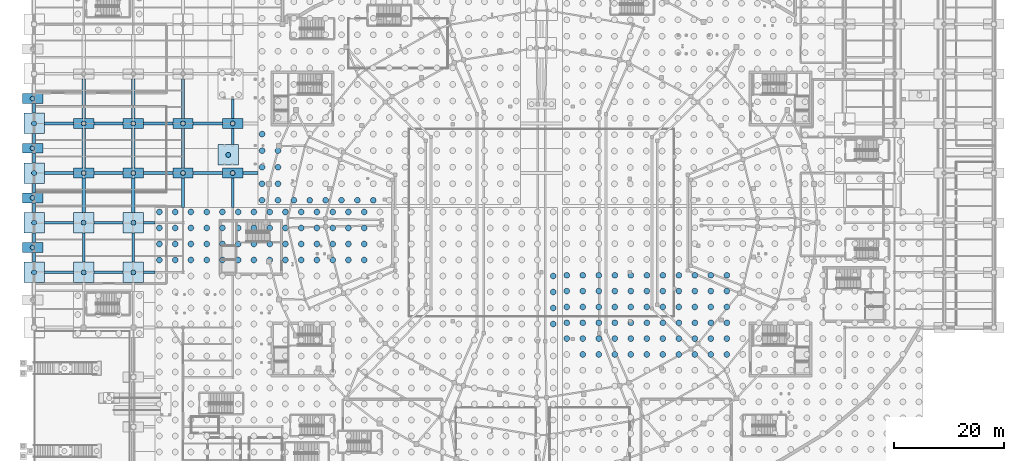
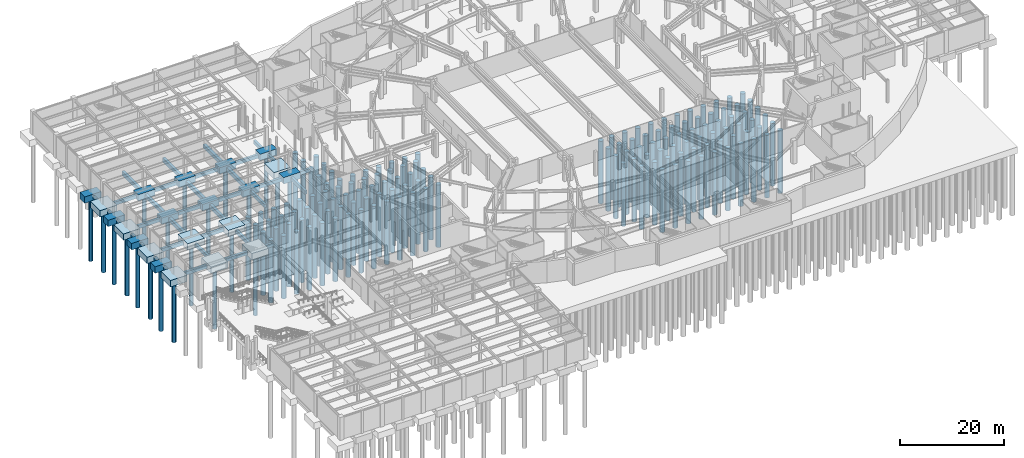
# One storey, part 4 of 56: 161 piles, 57 footings.
"""IFC4 building model written with IfcOpenShell, lengths in metres."""

from ifc_helpers import new_model, si_unit, direction, frame, origin, origin_2d, place, context, subcontext, project, spatial, polyline, rectangle, circle, outline, extrude, material, material_profile, profile_set, type_object, element, save


model = new_model("IFC4")

# Units and contexts
model_context = context("Model", 3, precision=1e-05, world=origin(), true_north=direction((0.0, 1.0)))
body_context = subcontext(model_context, "Body", "Model", "MODEL_VIEW")
ifc_project = project(units=[si_unit("LENGTHUNIT", "METRE"), si_unit("AREAUNIT", "SQUARE_METRE"), si_unit("VOLUMEUNIT", "CUBIC_METRE"), si_unit("PLANEANGLEUNIT", "RADIAN"), si_unit("MASSUNIT", "GRAM", prefix="KILO")], contexts=[model_context])

# Site, building, storey
site_placement = place(None, origin())
site = spatial("IfcSite", under=ifc_project, at=site_placement, CompositionType="ELEMENT")
building_placement = place(site_placement, origin())
building = spatial("IfcBuilding", under=site, at=building_placement, Name="Glasvene Arena", CompositionType="ELEMENT")
storey_placement = place(building_placement, frame((0.0, 0.0, -5.39990234375)))
storey = spatial("IfcBuildingStorey", under=building, at=storey_placement, Name="B1", CompositionType="ELEMENT", Elevation=-5.39990234375)

# Footings
ifc_material = material(Name="Concrete C40/50", Category="concrete")
footing_type_1 = type_object("IfcFootingType", Name="FT-FB-500x800", PredefinedType="FOOTING_BEAM", material=ifc_material)
for number, where, name in (
    (1, (0.0, 66.72509765625, -1.25), "Ground tie beam 0006"),
    (2, (0.0, 70.27490234375, -1.25), "Ground tie beam 0007"),
    (3, (0.0, 75.72509765625, -1.25), "Ground tie beam 0008"),
    (4, (0.0, 79.27490234375, -1.25), "Ground tie beam 0009"),
    (5, (0.0, 84.72509765625, -1.25), "Ground tie beam 0010"),
    (6, (0.0, 88.27490234375, -1.25), "Ground tie beam 0011"),
    (7, (0.0, 93.72509765625, -1.25), "Ground tie beam 0012"),
):
    element("IfcFooting", number, at=place(storey_placement, frame(where)), inside=storey, type_object=footing_type_1, Name=name, PredefinedType="FOOTING_BEAM", context=body_context, shape_type="SweptSolid", body=[
        extrude(outline(polyline([(-0.25, -0.875), (0.25, -0.875), (0.25, 0.875), (-0.25, 0.875), (-0.25, -0.875)])), origin(), (0.0, 0.0, 1.0), 0.7998046875),
    ])
for number, where, name in (
    (8, (9.0, 68.5, -1.25), "Ground tie beam 0020"),
    (9, (18.0, 68.5, -1.25), "Ground tie beam 0032"),
):
    element("IfcFooting", number, at=place(storey_placement, frame(where)), inside=storey, type_object=footing_type_1, Name=name, PredefinedType="FOOTING_BEAM", context=body_context, shape_type="SweptSolid", body=[
        extrude(outline(polyline([(-0.25, -2.64990234375), (0.25, -2.64990234375), (0.25, 2.64990234375), (-0.25, 2.64990234375), (-0.25, -2.64990234375)])), origin(), (0.0, 0.0, 1.0), 0.7998046875),
    ])
for number, where, name in (
    (10, (27.0, 78.412109375, -1.25), "Ground tie beam 0039"),
    (11, (36.0, 78.412109375, -1.25), "Ground tie beam 0045"),
):
    element("IfcFooting", number, at=place(storey_placement, frame(where)), inside=storey, type_object=footing_type_1, Name=name, PredefinedType="FOOTING_BEAM", context=body_context, shape_type="SweptSolid", body=[
        extrude(outline(polyline([(-0.25, -2.68798828125), (0.25, -2.68798828125), (0.25, 2.68798828125), (-0.25, 2.68798828125), (-0.25, -2.68798828125)])), origin(), (0.0, 0.0, 1.0), 0.7998046875),
    ])
footing_1_placement = place(storey_placement, frame((36.0, 88.625, -1.25)))
element("IfcFooting", 12, at=footing_1_placement, inside=storey, type_object=footing_type_1, Name="Ground tie beam 0046", PredefinedType="FOOTING_BEAM", context=body_context, shape_type="SweptSolid", body=[
    extrude(outline(polyline([(-0.25, -1.47509765625), (0.25, -1.47509765625), (0.25, 1.47509765625), (-0.25, 1.47509765625), (-0.25, -1.47509765625)])), origin(), (0.0, 0.0, 1.0), 0.7998046875),
])
footing_2_placement = place(storey_placement, frame((36.0, 93.675048828125, -1.25)))
element("IfcFooting", 13, at=footing_2_placement, inside=storey, type_object=footing_type_1, Name="Ground tie beam 0047", PredefinedType="FOOTING_BEAM", context=body_context, shape_type="SweptSolid", body=[
    extrude(outline(polyline([(-0.25, -1.775146484375), (0.25, -1.775146484375), (0.25, 1.77490234375), (-0.25, 1.77490234375), (-0.25, -1.775146484375)])), origin(), (0.0, 0.0, 1.0), 0.7998046875),
])
for number, where, name in (
    (14, (4.5, 64.0, -1.25), "Ground tie beam 0096"),
    (15, (13.5, 64.0, -1.25), "Ground tie beam 0097"),
):
    element("IfcFooting", number, at=place(storey_placement, frame(where)), inside=storey, type_object=footing_type_1, Name=name, PredefinedType="FOOTING_BEAM", context=body_context, shape_type="SweptSolid", body=[
        extrude(outline(polyline([(-2.64990234375, -0.25), (2.64990234375, -0.25), (2.64990234375, 0.25), (-2.64990234375, 0.25), (-2.64990234375, -0.25)])), origin(), (0.0, 0.0, 1.0), 0.7998046875),
    ])
footing_3_placement = place(storey_placement, frame((20.89990234375, 64.0, -1.25)))
element("IfcFooting", 16, at=footing_3_placement, inside=storey, type_object=footing_type_1, Name="Ground tie beam 0098", PredefinedType="FOOTING_BEAM", context=body_context, shape_type="SweptSolid", body=[
    extrude(outline(polyline([(-1.0498046875, -0.25), (1.050048828125, -0.25), (1.050048828125, 0.25), (-1.0498046875, 0.25), (-1.0498046875, -0.25)])), origin(), (0.0, 0.0, 1.0), 0.7998046875),
])
for number, where, name in (
    (17, (4.5, 73.0, -1.25), "Ground tie beam 0101"),
    (18, (13.5, 73.0, -1.25), "Ground tie beam 0102"),
):
    element("IfcFooting", number, at=place(storey_placement, frame(where)), inside=storey, type_object=footing_type_1, Name=name, PredefinedType="FOOTING_BEAM", context=body_context, shape_type="SweptSolid", body=[
        extrude(outline(polyline([(-2.64990234375, -0.25), (2.64990234375, -0.25), (2.64990234375, 0.25), (-2.64990234375, 0.25), (-2.64990234375, -0.25)])), origin(), (0.0, 0.0, 1.0), 0.7998046875),
    ])
footing_4_placement = place(storey_placement, frame((20.89990234375, 73.0, -1.25)))
element("IfcFooting", 19, at=footing_4_placement, inside=storey, type_object=footing_type_1, Name="Ground tie beam 0103", PredefinedType="FOOTING_BEAM", context=body_context, shape_type="SweptSolid", body=[
    extrude(outline(polyline([(-1.0498046875, -0.25), (1.050048828125, -0.25), (1.050048828125, 0.25), (-1.0498046875, 0.25), (-1.0498046875, -0.25)])), origin(), (0.0, 0.0, 1.0), 0.7998046875),
])
for number, where, name in (
    (20, (4.5, 82.0, -1.25), "Ground tie beam 0106"),
    (21, (13.5, 82.0, -1.25), "Ground tie beam 0107"),
    (22, (22.5, 82.0, -1.25), "Ground tie beam 0108"),
    (23, (31.5, 82.0, -1.25), "Ground tie beam 0109"),
):
    element("IfcFooting", number, at=place(storey_placement, frame(where)), inside=storey, type_object=footing_type_1, Name=name, PredefinedType="FOOTING_BEAM", context=body_context, shape_type="SweptSolid", body=[
        extrude(outline(polyline([(-2.64990234375, -0.25), (2.64990234375, -0.25), (2.64990234375, 0.25), (-2.64990234375, 0.25), (-2.64990234375, -0.25)])), origin(), (0.0, 0.0, 1.0), 0.7998046875),
    ])
footing_5_placement = place(storey_placement, frame((39.2080078125, 82.0, -1.25)))
element("IfcFooting", 24, at=footing_5_placement, inside=storey, type_object=footing_type_1, Name="Ground tie beam 0110", PredefinedType="FOOTING_BEAM", context=body_context, shape_type="SweptSolid", body=[
    extrude(outline(polyline([(-1.35791015625, -0.25), (1.35791015625, -0.25), (1.35791015625, 0.25), (-1.35791015625, 0.25), (-1.35791015625, -0.25)])), origin(), (0.0, 0.0, 1.0), 0.7998046875),
])
for number, where, name in (
    (25, (4.5, 91.0, -1.25), "Ground tie beam 0115"),
    (26, (13.5, 91.0, -1.25), "Ground tie beam 0116"),
    (27, (22.5, 91.0, -1.25), "Ground tie beam 0117"),
    (28, (31.5, 91.0, -1.25), "Ground tie beam 0118"),
):
    element("IfcFooting", number, at=place(storey_placement, frame(where)), inside=storey, type_object=footing_type_1, Name=name, PredefinedType="FOOTING_BEAM", context=body_context, shape_type="SweptSolid", body=[
        extrude(outline(polyline([(-2.64990234375, -0.25), (2.64990234375, -0.25), (2.64990234375, 0.25), (-2.64990234375, 0.25), (-2.64990234375, -0.25)])), origin(), (0.0, 0.0, 1.0), 0.7998046875),
    ])
footing_type_2 = type_object("IfcFootingType", Name="FT-FB-600x900", PredefinedType="FOOTING_BEAM", material=ifc_material)
footing_6_placement = place(storey_placement, frame((9.0, 77.97509765625, -1.35009765625)))
element("IfcFooting", 29, at=footing_6_placement, inside=storey, type_object=footing_type_2, Name="Ground tie beam 0021", PredefinedType="FOOTING_BEAM", context=body_context, shape_type="SweptSolid", body=[
    extrude(outline(polyline([(-0.300048828125, -3.125), (0.300048828125, -3.125), (0.300048828125, 3.125), (-0.300048828125, 3.125), (-0.300048828125, -3.125)])), origin(), (0.0, 0.0, 1.0), 0.89990234375),
])
for number, where, name in (
    (30, (9.0, 86.5, -1.35009765625), "Ground tie beam 0022"),
    (31, (9.0, 95.5, -1.35009765625), "Ground tie beam 0023"),
):
    element("IfcFooting", number, at=place(storey_placement, frame(where)), inside=storey, type_object=footing_type_2, Name=name, PredefinedType="FOOTING_BEAM", context=body_context, shape_type="SweptSolid", body=[
        extrude(outline(polyline([(-0.300048828125, -3.60009765625), (0.300048828125, -3.60009765625), (0.300048828125, 3.60009765625), (-0.300048828125, 3.60009765625), (-0.300048828125, -3.60009765625)])), origin(), (0.0, 0.0, 1.0), 0.89990234375),
    ])
footing_7_placement = place(storey_placement, frame((18.0, 77.97509765625, -1.35009765625)))
element("IfcFooting", 32, at=footing_7_placement, inside=storey, type_object=footing_type_2, Name="Ground tie beam 0033", PredefinedType="FOOTING_BEAM", context=body_context, shape_type="SweptSolid", body=[
    extrude(outline(polyline([(-0.300048828125, -3.125), (0.300048828125, -3.125), (0.300048828125, 3.125), (-0.300048828125, 3.125), (-0.300048828125, -3.125)])), origin(), (0.0, 0.0, 1.0), 0.89990234375),
])
for number, where, name in (
    (33, (18.0, 86.5, -1.35009765625), "Ground tie beam 0034"),
    (34, (18.0, 95.5, -1.35009765625), "Ground tie beam 0035"),
    (35, (27.0, 86.5, -1.35009765625), "Ground tie beam 0040"),
    (36, (27.0, 95.5, -1.35009765625), "Ground tie beam 0041"),
):
    element("IfcFooting", number, at=place(storey_placement, frame(where)), inside=storey, type_object=footing_type_2, Name=name, PredefinedType="FOOTING_BEAM", context=body_context, shape_type="SweptSolid", body=[
        extrude(outline(polyline([(-0.300048828125, -3.60009765625), (0.300048828125, -3.60009765625), (0.300048828125, 3.60009765625), (-0.300048828125, 3.60009765625), (-0.300048828125, -3.60009765625)])), origin(), (0.0, 0.0, 1.0), 0.89990234375),
    ])
footing_type_3 = type_object("IfcFootingType", Name="FT-PC-370x180", PredefinedType="PILE_CAP", material=ifc_material)
for number, where, z_axis, x_axis, name in (
    (37, (-0.260009765625, 68.5, -1.5), (0.0, 0.0, 1.0), (1.0, 0.0, 0.0), "Pile cap 044"),
    (38, (-0.260009765625, 77.5, -1.5), (0.0, 0.0, 1.0), (1.0, 0.0, 0.0), "Pile cap 052"),
    (39, (9.0, 82.0, -1.5), (0.0, 0.0, 1.0), (1.0, 0.0, 0.0), "Pile cap 055"),
    (40, (18.0, 82.0, -1.5), (0.0, 0.0, 1.0), (1.0, 0.0, 0.0), "Pile cap 056"),
    (41, (27.0, 82.0, -1.5), (0.0, 0.0, 1.0), (1.0, 0.0, 0.0), "Pile cap 057"),
    (42, (36.0, 82.0, -1.5), (0.0, 0.0, 1.0), (1.0, 0.0, 0.0), "Pile cap 058"),
    (43, (-0.260009765625, 86.5, -1.5), (0.0, 0.0, 1.0), (1.0, 0.0, 0.0), "Pile cap 062"),
    (44, (9.0, 91.0, -1.5), (0.0, 0.0, 1.0), (1.0, 0.0, 0.0), "Pile cap 065"),
    (45, (18.0, 91.0, -1.5), (0.0, 0.0, 1.0), (1.0, 0.0, 0.0), "Pile cap 066"),
    (46, (27.0, 91.0, -1.5), (0.0, 0.0, 1.0), (1.0, 0.0, 0.0), "Pile cap 067"),
    (47, (36.0, 91.0, -1.5), (0.0, 0.0, 1.0), (1.0, 0.0, 0.0), "Pile cap 068"),
    (48, (-0.260009765625, 95.5, -1.5), (0.0, 0.0, 1.0), (1.0, 0.0, 0.0), "Pile cap 073"),
):
    element("IfcFooting", number, at=place(storey_placement, frame(where, z_axis=z_axis, x_axis=x_axis)), inside=storey, type_object=footing_type_3, Name=name, PredefinedType="PILE_CAP", context=body_context, shape_type="SweptSolid", body=[
        extrude(rectangle(XDim=3.699951171875, YDim=1.800048828125, at=origin_2d()), origin(), (0.0, 0.0, 1.0), 1.5),
    ])
footing_type_4 = type_object("IfcFootingType", Name="FT-PC-370x370", PredefinedType="PILE_CAP", material=ifc_material)
for number, where, z_axis, x_axis, name in (
    (49, (0.0, 64.0, -1.5), (0.0, 0.0, 1.0), (1.0, 0.0, 0.0), "Pile cap 039"),
    (50, (9.0, 64.0, -1.5), (0.0, 0.0, 1.0), (1.0, 0.0, 0.0), "Pile cap 040"),
    (51, (18.0, 64.0, -1.5), (0.0, 0.0, 1.0), (1.0, 0.0, 0.0), "Pile cap 041"),
    (52, (0.0, 73.0, -1.5), (0.0, 0.0, 1.0), (1.0, 0.0, 0.0), "Pile cap 045"),
    (53, (9.0, 73.0, -1.5), (0.0, 0.0, 1.0), (1.0, 0.0, 0.0), "Pile cap 046"),
    (54, (18.0, 73.0, -1.5), (0.0, 0.0, 1.0), (1.0, 0.0, 0.0), "Pile cap 047"),
    (55, (0.0, 82.0, -1.5), (0.0, 0.0, 1.0), (1.0, 0.0, 0.0), "Pile cap 053"),
    (56, (35.199951171875, 85.300048828125, -1.5), (0.0, 0.0, 1.0), (1.0, 0.0, 0.0), "Pile cap 061"),
    (57, (0.0, 91.0, -1.5), (0.0, 0.0, 1.0), (1.0, 0.0, 0.0), "Pile cap 063"),
):
    element("IfcFooting", number, at=place(storey_placement, frame(where, z_axis=z_axis, x_axis=x_axis)), inside=storey, type_object=footing_type_4, Name=name, PredefinedType="PILE_CAP", context=body_context, shape_type="SweptSolid", body=[
        extrude(rectangle(XDim=3.699951171875, YDim=3.699951171875, at=origin_2d()), origin(), (0.0, 0.0, 1.0), 1.5),
    ])

# Piles
ifc_material_profile_1 = material_profile(ifc_material, circle(Radius=0.52490234375, at=origin_2d()), Name="BORED PILE 1050")
ifc_profile_set_1 = profile_set([ifc_material_profile_1], Name="Concrete C40/50")
pile_type_1 = type_object("IfcPileType", Name="PL-BP1050", PredefinedType="BORED", material=ifc_profile_set_1)
for number, where, z_axis, x_axis, name in (
    (58, (22.72509765625, 66.245361328125, -1.35009765625), (0.0, 0.0, -1.0), (1.0, 0.0, 0.0), "Bored pile 0061"),
    (59, (22.72509765625, 69.146484375, -1.35009765625), (0.0, 0.0, -1.0), (1.0, 0.0, 0.0), "Bored pile 0062"),
    (60, (22.72509765625, 72.0478515625, -1.35009765625), (0.0, 0.0, -1.0), (1.0, 0.0, 0.0), "Bored pile 0063"),
    (61, (22.72509765625, 74.948974609375, -1.35009765625), (0.0, 0.0, -1.0), (1.0, 0.0, 0.0), "Bored pile 0064"),
    (62, (25.580810546875, 66.245361328125, -1.35009765625), (0.0, 0.0, -1.0), (1.0, 0.0, 0.0), "Bored pile 0082"),
    (63, (25.580810546875, 69.146484375, -1.35009765625), (0.0, 0.0, -1.0), (1.0, 0.0, 0.0), "Bored pile 0083"),
    (64, (25.580810546875, 72.0478515625, -1.35009765625), (0.0, 0.0, -1.0), (1.0, 0.0, 0.0), "Bored pile 0084"),
    (65, (25.580810546875, 74.948974609375, -1.35009765625), (0.0, 0.0, -1.0), (1.0, 0.0, 0.0), "Bored pile 0085"),
    (66, (28.4365234375, 66.245361328125, -1.35009765625), (0.0, 0.0, -1.0), (1.0, 0.0, 0.0), "Bored pile 0103"),
    (67, (28.4365234375, 69.146484375, -1.35009765625), (0.0, 0.0, -1.0), (1.0, 0.0, 0.0), "Bored pile 0104"),
    (68, (28.4365234375, 72.0478515625, -1.35009765625), (0.0, 0.0, -1.0), (1.0, 0.0, 0.0), "Bored pile 0105"),
    (69, (28.4365234375, 74.948974609375, -1.35009765625), (0.0, 0.0, -1.0), (1.0, 0.0, 0.0), "Bored pile 0106"),
    (70, (31.292236328125, 66.245361328125, -1.35009765625), (0.0, 0.0, -1.0), (1.0, 0.0, 0.0), "Bored pile 0124"),
    (71, (31.292236328125, 69.146484375, -1.35009765625), (0.0, 0.0, -1.0), (1.0, 0.0, 0.0), "Bored pile 0125"),
    (72, (31.292236328125, 72.0478515625, -1.35009765625), (0.0, 0.0, -1.0), (1.0, 0.0, 0.0), "Bored pile 0126"),
    (73, (31.292236328125, 74.948974609375, -1.35009765625), (0.0, 0.0, -1.0), (1.0, 0.0, 0.0), "Bored pile 0127"),
    (74, (34.14794921875, 66.245361328125, -1.35009765625), (0.0, 0.0, -1.0), (1.0, 0.0, 0.0), "Bored pile 0145"),
    (75, (34.14794921875, 69.146484375, -1.35009765625), (0.0, 0.0, -1.0), (1.0, 0.0, 0.0), "Bored pile 0146"),
    (76, (34.14794921875, 72.0478515625, -1.35009765625), (0.0, 0.0, -1.0), (1.0, 0.0, 0.0), "Bored pile 0147"),
    (77, (34.14794921875, 74.948974609375, -1.35009765625), (0.0, 0.0, -1.0), (1.0, 0.0, 0.0), "Bored pile 0148"),
    (78, (37.00390625, 66.245361328125, -1.35009765625), (0.0, 0.0, -1.0), (1.0, 0.0, 0.0), "Bored pile 0166"),
    (79, (37.00390625, 69.146484375, -1.35009765625), (0.0, 0.0, -1.0), (1.0, 0.0, 0.0), "Bored pile 0167"),
    (80, (37.00390625, 72.0478515625, -1.35009765625), (0.0, 0.0, -1.0), (1.0, 0.0, 0.0), "Bored pile 0168"),
    (81, (37.00390625, 74.948974609375, -1.35009765625), (0.0, 0.0, -1.0), (1.0, 0.0, 0.0), "Bored pile 0169"),
    (82, (39.859619140625, 66.245361328125, -1.35009765625), (0.0, 0.0, -1.0), (1.0, 0.0, 0.0), "Bored pile 0187"),
    (83, (39.859619140625, 69.146484375, -1.35009765625), (0.0, 0.0, -1.0), (1.0, 0.0, 0.0), "Bored pile 0188"),
    (84, (39.859619140625, 72.0478515625, -1.35009765625), (0.0, 0.0, -1.0), (1.0, 0.0, 0.0), "Bored pile 0189"),
    (85, (39.859619140625, 74.948974609375, -1.35009765625), (0.0, 0.0, -1.0), (1.0, 0.0, 0.0), "Bored pile 0190"),
    (86, (42.71533203125, 66.245361328125, -1.35009765625), (0.0, 0.0, -1.0), (1.0, 0.0, 0.0), "Bored pile 0208"),
    (87, (42.71533203125, 69.146484375, -1.35009765625), (0.0, 0.0, -1.0), (1.0, 0.0, 0.0), "Bored pile 0209"),
    (88, (42.71533203125, 72.0478515625, -1.35009765625), (0.0, 0.0, -1.0), (1.0, 0.0, 0.0), "Bored pile 0210"),
    (89, (42.71533203125, 74.948974609375, -1.35009765625), (0.0, 0.0, -1.0), (1.0, 0.0, 0.0), "Bored pile 0211"),
    (90, (45.571044921875, 66.245361328125, -1.35009765625), (0.0, 0.0, -1.0), (1.0, 0.0, 0.0), "Bored pile 0229"),
    (91, (45.571044921875, 69.146484375, -1.35009765625), (0.0, 0.0, -1.0), (1.0, 0.0, 0.0), "Bored pile 0230"),
    (92, (45.571044921875, 72.0478515625, -1.35009765625), (0.0, 0.0, -1.0), (1.0, 0.0, 0.0), "Bored pile 0231"),
    (93, (45.571044921875, 74.948974609375, -1.35009765625), (0.0, 0.0, -1.0), (1.0, 0.0, 0.0), "Bored pile 0232"),
    (94, (48.4267578125, 66.245361328125, -1.35009765625), (0.0, 0.0, -1.0), (1.0, 0.0, 0.0), "Bored pile 0250"),
    (95, (48.4267578125, 69.146484375, -1.35009765625), (0.0, 0.0, -1.0), (1.0, 0.0, 0.0), "Bored pile 0251"),
    (96, (48.4267578125, 72.0478515625, -1.35009765625), (0.0, 0.0, -1.0), (1.0, 0.0, 0.0), "Bored pile 0252"),
    (97, (48.4267578125, 74.948974609375, -1.35009765625), (0.0, 0.0, -1.0), (1.0, 0.0, 0.0), "Bored pile 0253"),
    (98, (51.28271484375, 66.245361328125, -1.35009765625), (0.0, 0.0, -1.0), (1.0, 0.0, 0.0), "Bored pile 0271"),
    (99, (51.28271484375, 69.146484375, -1.35009765625), (0.0, 0.0, -1.0), (1.0, 0.0, 0.0), "Bored pile 0272"),
    (100, (51.28271484375, 72.0478515625, -1.35009765625), (0.0, 0.0, -1.0), (1.0, 0.0, 0.0), "Bored pile 0273"),
    (101, (51.28271484375, 74.948974609375, -1.35009765625), (0.0, 0.0, -1.0), (1.0, 0.0, 0.0), "Bored pile 0274"),
    (102, (54.138427734375, 66.245361328125, -1.35009765625), (0.0, 0.0, -1.0), (1.0, 0.0, 0.0), "Bored pile 0292"),
    (103, (54.138427734375, 69.146484375, -1.35009765625), (0.0, 0.0, -1.0), (1.0, 0.0, 0.0), "Bored pile 0293"),
    (104, (54.138427734375, 72.0478515625, -1.35009765625), (0.0, 0.0, -1.0), (1.0, 0.0, 0.0), "Bored pile 0294"),
    (105, (54.138427734375, 74.948974609375, -1.35009765625), (0.0, 0.0, -1.0), (1.0, 0.0, 0.0), "Bored pile 0295"),
    (106, (56.994140625, 66.245361328125, -1.35009765625), (0.0, 0.0, -1.0), (1.0, 0.0, 0.0), "Bored pile 0313"),
    (107, (56.994140625, 69.146484375, -1.35009765625), (0.0, 0.0, -1.0), (1.0, 0.0, 0.0), "Bored pile 0314"),
    (108, (56.994140625, 72.0478515625, -1.35009765625), (0.0, 0.0, -1.0), (1.0, 0.0, 0.0), "Bored pile 0315"),
    (109, (56.994140625, 74.948974609375, -1.35009765625), (0.0, 0.0, -1.0), (1.0, 0.0, 0.0), "Bored pile 0316"),
    (110, (59.849853515625, 66.245361328125, -1.35009765625), (0.0, 0.0, -1.0), (1.0, 0.0, 0.0), "Bored pile 0334"),
    (111, (59.849853515625, 69.146484375, -1.35009765625), (0.0, 0.0, -1.0), (1.0, 0.0, 0.0), "Bored pile 0335"),
    (112, (59.849853515625, 72.0478515625, -1.35009765625), (0.0, 0.0, -1.0), (1.0, 0.0, 0.0), "Bored pile 0336"),
    (113, (59.849853515625, 74.948974609375, -1.35009765625), (0.0, 0.0, -1.0), (1.0, 0.0, 0.0), "Bored pile 0337"),
    (114, (94.118896484375, 54.640625, -1.35009765625), (0.0, 0.0, -1.0), (1.0, 0.0, 0.0), "Bored pile 0582"),
    (115, (94.118896484375, 57.541748046875, -1.35009765625), (0.0, 0.0, -1.0), (1.0, 0.0, 0.0), "Bored pile 0583"),
    (116, (94.118896484375, 60.443115234375, -1.35009765625), (0.0, 0.0, -1.0), (1.0, 0.0, 0.0), "Bored pile 0584"),
    (117, (94.118896484375, 63.34423828125, -1.35009765625), (0.0, 0.0, -1.0), (1.0, 0.0, 0.0), "Bored pile 0585"),
    (118, (96.5830078125, 51.991455078125, -1.35009765625), (0.0, 0.0, -1.0), (1.0, 0.0, 0.0), "Bored pile 0601"),
    (119, (96.5830078125, 54.861083984375, -1.35009765625), (0.0, 0.0, -1.0), (1.0, 0.0, 0.0), "Bored pile 0602"),
    (120, (96.5830078125, 57.73095703125, -1.35009765625), (0.0, 0.0, -1.0), (1.0, 0.0, 0.0), "Bored pile 0603"),
    (121, (96.5830078125, 60.6005859375, -1.35009765625), (0.0, 0.0, -1.0), (1.0, 0.0, 0.0), "Bored pile 0604"),
    (122, (96.5830078125, 63.47021484375, -1.35009765625), (0.0, 0.0, -1.0), (1.0, 0.0, 0.0), "Bored pile 0605"),
    (123, (99.48486328125, 49.121826171875, -1.35009765625), (0.0, 0.0, -1.0), (1.0, 0.0, 0.0), "Bored pile 0620"),
    (124, (99.48486328125, 51.991455078125, -1.35009765625), (0.0, 0.0, -1.0), (1.0, 0.0, 0.0), "Bored pile 0621"),
    (125, (99.48486328125, 54.861083984375, -1.35009765625), (0.0, 0.0, -1.0), (1.0, 0.0, 0.0), "Bored pile 0622"),
    (126, (99.48486328125, 57.73095703125, -1.35009765625), (0.0, 0.0, -1.0), (1.0, 0.0, 0.0), "Bored pile 0623"),
    (127, (99.48486328125, 60.6005859375, -1.35009765625), (0.0, 0.0, -1.0), (1.0, 0.0, 0.0), "Bored pile 0624"),
    (128, (99.48486328125, 63.47021484375, -1.35009765625), (0.0, 0.0, -1.0), (1.0, 0.0, 0.0), "Bored pile 0625"),
    (129, (102.38671875, 49.121826171875, -1.35009765625), (0.0, 0.0, -1.0), (1.0, 0.0, 0.0), "Bored pile 0640"),
    (130, (102.38671875, 51.991455078125, -1.35009765625), (0.0, 0.0, -1.0), (1.0, 0.0, 0.0), "Bored pile 0641"),
    (131, (102.38671875, 54.861083984375, -1.35009765625), (0.0, 0.0, -1.0), (1.0, 0.0, 0.0), "Bored pile 0642"),
    (132, (102.38671875, 57.73095703125, -1.35009765625), (0.0, 0.0, -1.0), (1.0, 0.0, 0.0), "Bored pile 0643"),
    (133, (102.38671875, 60.6005859375, -1.35009765625), (0.0, 0.0, -1.0), (1.0, 0.0, 0.0), "Bored pile 0644"),
    (134, (102.38671875, 63.47021484375, -1.35009765625), (0.0, 0.0, -1.0), (1.0, 0.0, 0.0), "Bored pile 0645"),
    (135, (105.288818359375, 49.121826171875, -1.35009765625), (0.0, 0.0, -1.0), (1.0, 0.0, 0.0), "Bored pile 0660"),
    (136, (105.288818359375, 51.991455078125, -1.35009765625), (0.0, 0.0, -1.0), (1.0, 0.0, 0.0), "Bored pile 0661"),
    (137, (105.288818359375, 54.861083984375, -1.35009765625), (0.0, 0.0, -1.0), (1.0, 0.0, 0.0), "Bored pile 0662"),
    (138, (105.288818359375, 57.73095703125, -1.35009765625), (0.0, 0.0, -1.0), (1.0, 0.0, 0.0), "Bored pile 0663"),
    (139, (105.288818359375, 60.6005859375, -1.35009765625), (0.0, 0.0, -1.0), (1.0, 0.0, 0.0), "Bored pile 0664"),
    (140, (105.288818359375, 63.47021484375, -1.35009765625), (0.0, 0.0, -1.0), (1.0, 0.0, 0.0), "Bored pile 0665"),
    (141, (108.190673828125, 49.121826171875, -1.35009765625), (0.0, 0.0, -1.0), (1.0, 0.0, 0.0), "Bored pile 0680"),
    (142, (108.190673828125, 51.991455078125, -1.35009765625), (0.0, 0.0, -1.0), (1.0, 0.0, 0.0), "Bored pile 0681"),
    (143, (108.190673828125, 54.861083984375, -1.35009765625), (0.0, 0.0, -1.0), (1.0, 0.0, 0.0), "Bored pile 0682"),
    (144, (108.190673828125, 57.73095703125, -1.35009765625), (0.0, 0.0, -1.0), (1.0, 0.0, 0.0), "Bored pile 0683"),
    (145, (108.190673828125, 60.6005859375, -1.35009765625), (0.0, 0.0, -1.0), (1.0, 0.0, 0.0), "Bored pile 0684"),
    (146, (108.190673828125, 63.47021484375, -1.35009765625), (0.0, 0.0, -1.0), (1.0, 0.0, 0.0), "Bored pile 0685"),
    (147, (111.092529296875, 49.121826171875, -1.35009765625), (0.0, 0.0, -1.0), (1.0, 0.0, 0.0), "Bored pile 0700"),
    (148, (111.092529296875, 51.991455078125, -1.35009765625), (0.0, 0.0, -1.0), (1.0, 0.0, 0.0), "Bored pile 0701"),
    (149, (111.092529296875, 54.861083984375, -1.35009765625), (0.0, 0.0, -1.0), (1.0, 0.0, 0.0), "Bored pile 0702"),
    (150, (111.092529296875, 57.73095703125, -1.35009765625), (0.0, 0.0, -1.0), (1.0, 0.0, 0.0), "Bored pile 0703"),
    (151, (111.092529296875, 60.6005859375, -1.35009765625), (0.0, 0.0, -1.0), (1.0, 0.0, 0.0), "Bored pile 0704"),
    (152, (111.092529296875, 63.47021484375, -1.35009765625), (0.0, 0.0, -1.0), (1.0, 0.0, 0.0), "Bored pile 0705"),
    (153, (113.994384765625, 49.121826171875, -1.35009765625), (0.0, 0.0, -1.0), (1.0, 0.0, 0.0), "Bored pile 0720"),
    (154, (113.994384765625, 51.991455078125, -1.35009765625), (0.0, 0.0, -1.0), (1.0, 0.0, 0.0), "Bored pile 0721"),
    (155, (113.994384765625, 54.861083984375, -1.35009765625), (0.0, 0.0, -1.0), (1.0, 0.0, 0.0), "Bored pile 0722"),
    (156, (113.994384765625, 57.73095703125, -1.35009765625), (0.0, 0.0, -1.0), (1.0, 0.0, 0.0), "Bored pile 0723"),
    (157, (113.994384765625, 60.6005859375, -1.35009765625), (0.0, 0.0, -1.0), (1.0, 0.0, 0.0), "Bored pile 0724"),
    (158, (113.994384765625, 63.47021484375, -1.35009765625), (0.0, 0.0, -1.0), (1.0, 0.0, 0.0), "Bored pile 0725"),
    (159, (116.896484375, 49.121826171875, -1.35009765625), (0.0, 0.0, -1.0), (1.0, 0.0, 0.0), "Bored pile 0740"),
    (160, (116.896484375, 51.991455078125, -1.35009765625), (0.0, 0.0, -1.0), (1.0, 0.0, 0.0), "Bored pile 0741"),
    (161, (116.896484375, 54.861083984375, -1.35009765625), (0.0, 0.0, -1.0), (1.0, 0.0, 0.0), "Bored pile 0742"),
    (162, (116.896484375, 57.73095703125, -1.35009765625), (0.0, 0.0, -1.0), (1.0, 0.0, 0.0), "Bored pile 0743"),
    (163, (116.896484375, 60.6005859375, -1.35009765625), (0.0, 0.0, -1.0), (1.0, 0.0, 0.0), "Bored pile 0744"),
    (164, (116.896484375, 63.47021484375, -1.35009765625), (0.0, 0.0, -1.0), (1.0, 0.0, 0.0), "Bored pile 0745"),
    (165, (119.79833984375, 49.121826171875, -1.35009765625), (0.0, 0.0, -1.0), (1.0, 0.0, 0.0), "Bored pile 0760"),
    (166, (119.79833984375, 51.991455078125, -1.35009765625), (0.0, 0.0, -1.0), (1.0, 0.0, 0.0), "Bored pile 0761"),
    (167, (119.79833984375, 54.861083984375, -1.35009765625), (0.0, 0.0, -1.0), (1.0, 0.0, 0.0), "Bored pile 0762"),
    (168, (119.79833984375, 57.73095703125, -1.35009765625), (0.0, 0.0, -1.0), (1.0, 0.0, 0.0), "Bored pile 0763"),
    (169, (119.79833984375, 60.6005859375, -1.35009765625), (0.0, 0.0, -1.0), (1.0, 0.0, 0.0), "Bored pile 0764"),
    (170, (119.79833984375, 63.47021484375, -1.35009765625), (0.0, 0.0, -1.0), (1.0, 0.0, 0.0), "Bored pile 0765"),
    (171, (122.7001953125, 49.121826171875, -1.35009765625), (0.0, 0.0, -1.0), (1.0, 0.0, 0.0), "Bored pile 0780"),
    (172, (122.7001953125, 51.991455078125, -1.35009765625), (0.0, 0.0, -1.0), (1.0, 0.0, 0.0), "Bored pile 0781"),
    (173, (122.7001953125, 54.861083984375, -1.35009765625), (0.0, 0.0, -1.0), (1.0, 0.0, 0.0), "Bored pile 0782"),
    (174, (122.7001953125, 57.73095703125, -1.35009765625), (0.0, 0.0, -1.0), (1.0, 0.0, 0.0), "Bored pile 0783"),
    (175, (122.7001953125, 60.6005859375, -1.35009765625), (0.0, 0.0, -1.0), (1.0, 0.0, 0.0), "Bored pile 0784"),
    (176, (122.7001953125, 63.47021484375, -1.35009765625), (0.0, 0.0, -1.0), (1.0, 0.0, 0.0), "Bored pile 0785"),
    (177, (125.60205078125, 49.121826171875, -1.35009765625), (0.0, 0.0, -1.0), (1.0, 0.0, 0.0), "Bored pile 0800"),
    (178, (125.60205078125, 51.991455078125, -1.35009765625), (0.0, 0.0, -1.0), (1.0, 0.0, 0.0), "Bored pile 0801"),
    (179, (125.60205078125, 54.861083984375, -1.35009765625), (0.0, 0.0, -1.0), (1.0, 0.0, 0.0), "Bored pile 0802"),
    (180, (125.60205078125, 57.73095703125, -1.35009765625), (0.0, 0.0, -1.0), (1.0, 0.0, 0.0), "Bored pile 0803"),
    (181, (125.60205078125, 60.6005859375, -1.35009765625), (0.0, 0.0, -1.0), (1.0, 0.0, 0.0), "Bored pile 0804"),
    (182, (125.60205078125, 63.47021484375, -1.35009765625), (0.0, 0.0, -1.0), (1.0, 0.0, 0.0), "Bored pile 0805"),
    (183, (41.341064453125, 77.069091796875, -1.35009765625), (0.0, 0.0, -1.0), (1.0, 0.0, 0.0), "Bored pile 1087"),
    (184, (41.341064453125, 80.0693359375, -1.35009765625), (0.0, 0.0, -1.0), (1.0, 0.0, 0.0), "Bored pile 1088"),
    (185, (41.341064453125, 83.06982421875, -1.35009765625), (0.0, 0.0, -1.0), (1.0, 0.0, 0.0), "Bored pile 1089"),
    (186, (41.341064453125, 86.0703125, -1.35009765625), (0.0, 0.0, -1.0), (1.0, 0.0, 0.0), "Bored pile 1090"),
    (187, (41.341064453125, 89.07080078125, -1.35009765625), (0.0, 0.0, -1.0), (1.0, 0.0, 0.0), "Bored pile 1091"),
    (188, (44.220703125, 77.069091796875, -1.35009765625), (0.0, 0.0, -1.0), (1.0, 0.0, 0.0), "Bored pile 1102"),
    (189, (44.220703125, 80.0693359375, -1.35009765625), (0.0, 0.0, -1.0), (1.0, 0.0, 0.0), "Bored pile 1103"),
    (190, (44.220703125, 83.06982421875, -1.35009765625), (0.0, 0.0, -1.0), (1.0, 0.0, 0.0), "Bored pile 1104"),
    (191, (44.220703125, 86.0703125, -1.35009765625), (0.0, 0.0, -1.0), (1.0, 0.0, 0.0), "Bored pile 1105"),
    (192, (47.1005859375, 77.069091796875, -1.35009765625), (0.0, 0.0, -1.0), (1.0, 0.0, 0.0), "Bored pile 1117"),
    (193, (49.980224609375, 77.069091796875, -1.35009765625), (0.0, 0.0, -1.0), (1.0, 0.0, 0.0), "Bored pile 1132"),
    (194, (52.860107421875, 77.069091796875, -1.35009765625), (0.0, 0.0, -1.0), (1.0, 0.0, 0.0), "Bored pile 1147"),
    (195, (55.73974609375, 77.069091796875, -1.35009765625), (0.0, 0.0, -1.0), (1.0, 0.0, 0.0), "Bored pile 1162"),
    (196, (58.619384765625, 77.069091796875, -1.35009765625), (0.0, 0.0, -1.0), (1.0, 0.0, 0.0), "Bored pile 1177"),
    (197, (61.499267578125, 77.069091796875, -1.35009765625), (0.0, 0.0, -1.0), (1.0, 0.0, 0.0), "Bored pile 1192"),
):
    element("IfcPile", number, at=place(storey_placement, frame(where, z_axis=z_axis, x_axis=x_axis)), inside=storey, type_object=pile_type_1, Name=name, PredefinedType="BORED", context=body_context, shape_type="SweptSolid", body=[
        extrude(circle(Radius=0.52490234375, at=origin_2d()), origin(), (0.0, 0.0, 1.0), 14.64990234375),
    ])
ifc_material_profile_2 = material_profile(ifc_material, circle(Radius=0.449951171875, at=origin_2d()), Name="BORED PILE 900")
ifc_profile_set_2 = profile_set([ifc_material_profile_2], Name="Concrete C40/50")
pile_type_2 = type_object("IfcPileType", Name="PL-BP900", PredefinedType="BORED", material=ifc_profile_set_2)
for number, where, z_axis, x_axis, name in (
    (198, (0.0, 64.0, -1.35009765625), (0.0, 0.0, -1.0), (1.0, 0.0, 0.0), "Bored pile 1076"),
    (199, (9.0, 64.0, -1.35009765625), (0.0, 0.0, -1.0), (1.0, 0.0, 0.0), "Bored pile 1077"),
    (200, (18.0, 64.0, -1.35009765625), (0.0, 0.0, -1.0), (1.0, 0.0, 0.0), "Bored pile 1078"),
    (201, (-0.260009765625, 68.5, -1.35009765625), (0.0, 0.0, -1.0), (1.0, 0.0, 0.0), "Bored pile 1081"),
    (202, (0.0, 73.0, -1.35009765625), (0.0, 0.0, -1.0), (1.0, 0.0, 0.0), "Bored pile 1082"),
    (203, (9.0, 73.0, -1.35009765625), (0.0, 0.0, -1.0), (1.0, 0.0, 0.0), "Bored pile 1083"),
    (204, (18.0, 73.0, -1.35009765625), (0.0, 0.0, -1.0), (1.0, 0.0, 0.0), "Bored pile 1084"),
    (205, (-0.260009765625, 77.5, -1.35009765625), (0.0, 0.0, -1.0), (1.0, 0.0, 0.0), "Bored pile 1597"),
    (206, (0.0, 82.0, -1.35009765625), (0.0, 0.0, -1.0), (1.0, 0.0, 0.0), "Bored pile 1598"),
    (207, (9.0, 82.0, -1.35009765625), (0.0, 0.0, -1.0), (1.0, 0.0, 0.0), "Bored pile 1611"),
    (208, (18.0, 82.0, -1.35009765625), (0.0, 0.0, -1.0), (1.0, 0.0, 0.0), "Bored pile 1612"),
    (209, (27.0, 82.0, -1.35009765625), (0.0, 0.0, -1.0), (1.0, 0.0, 0.0), "Bored pile 1613"),
    (210, (36.0, 82.0, -1.35009765625), (0.0, 0.0, -1.0), (1.0, 0.0, 0.0), "Bored pile 1614"),
    (211, (35.199951171875, 85.300048828125, -1.35009765625), (0.0, 0.0, -1.0), (1.0, 0.0, 0.0), "Bored pile 1617"),
    (212, (-0.260009765625, 86.5, -1.35009765625), (0.0, 0.0, -1.0), (1.0, 0.0, 0.0), "Bored pile 1618"),
    (213, (0.0, 91.0, -1.35009765625), (0.0, 0.0, -1.0), (1.0, 0.0, 0.0), "Bored pile 1619"),
    (214, (9.0, 91.0, -1.35009765625), (0.0, 0.0, -1.0), (1.0, 0.0, 0.0), "Bored pile 1621"),
    (215, (18.0, 91.0, -1.35009765625), (0.0, 0.0, -1.0), (1.0, 0.0, 0.0), "Bored pile 1622"),
    (216, (27.0, 91.0, -1.35009765625), (0.0, 0.0, -1.0), (1.0, 0.0, 0.0), "Bored pile 1623"),
    (217, (36.0, 91.0, -1.35009765625), (0.0, 0.0, -1.0), (1.0, 0.0, 0.0), "Bored pile 1624"),
    (218, (-0.260009765625, 95.5, -1.35009765625), (0.0, 0.0, -1.0), (1.0, 0.0, 0.0), "Bored pile 1630"),
):
    element("IfcPile", number, at=place(storey_placement, frame(where, z_axis=z_axis, x_axis=x_axis)), inside=storey, type_object=pile_type_2, Name=name, PredefinedType="BORED", context=body_context, shape_type="SweptSolid", body=[
        extrude(circle(Radius=0.449951171875, at=origin_2d()), origin(), (0.0, 0.0, 1.0), 14.64990234375),
    ])

save(model, "model.ifc")
